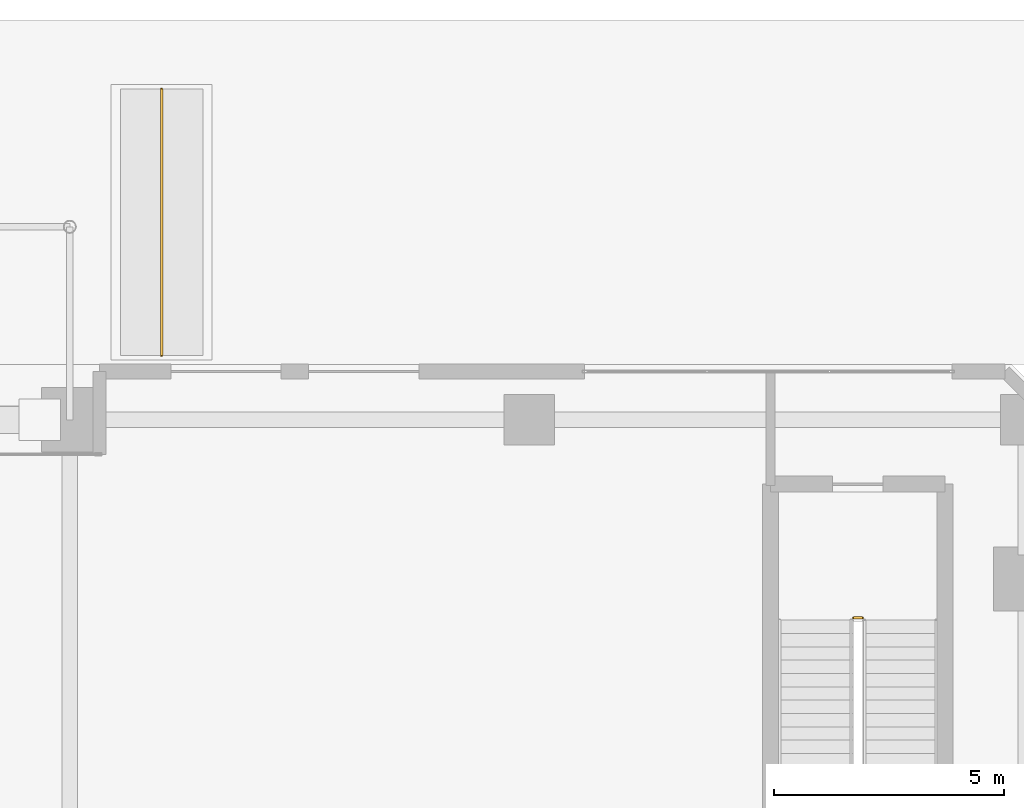
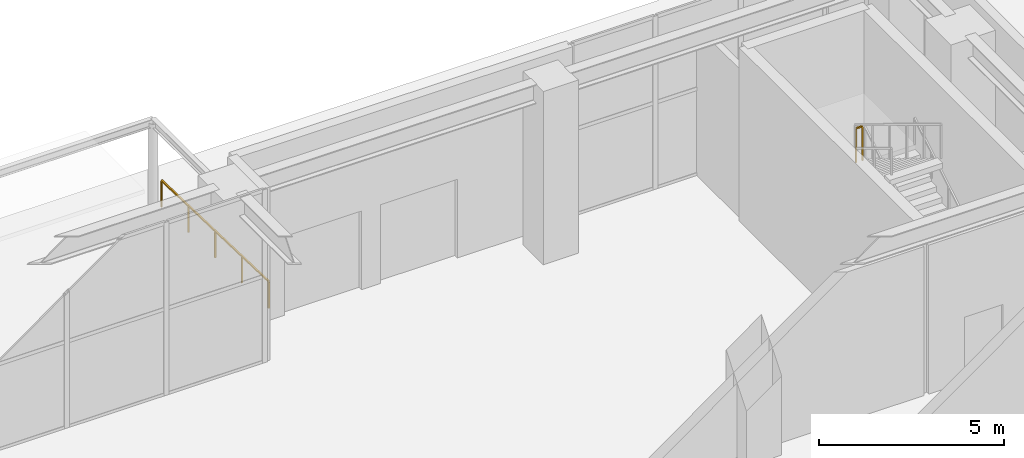
# One storey, part 48 of 49: 2 railings.
"""IFC4 building model written with IfcOpenShell, lengths in metres."""

from ifc_helpers import new_model, si_unit, direction, frame, origin, origin_2d, place, context, subcontext, project, spatial, rectangle, extrude, material, type_object, element, save


model = new_model("IFC4")

# Units and contexts
model_context = context("Model", 3, precision=1e-05, world=origin(), true_north=direction((0.0, 1.0)))
body_context = subcontext(model_context, "Body", "Model", "MODEL_VIEW")
ifc_project = project(units=[si_unit("LENGTHUNIT", "METRE"), si_unit("AREAUNIT", "SQUARE_METRE"), si_unit("VOLUMEUNIT", "CUBIC_METRE"), si_unit("PLANEANGLEUNIT", "RADIAN"), si_unit("MASSUNIT", "GRAM", prefix="KILO")], contexts=[model_context])

# Site, building, storey
site_placement = place(None, origin())
site = spatial("IfcSite", under=ifc_project, at=site_placement, CompositionType="ELEMENT")
building_placement = place(site_placement, origin())
building = spatial("IfcBuilding", under=site, at=building_placement, Name="Sarneth Arch Tower", CompositionType="ELEMENT")
storey_placement = place(building_placement, origin())
storey = spatial("IfcBuildingStorey", under=building, at=storey_placement, Name="L00", CompositionType="ELEMENT", Elevation=0.0)

# Railings
ifc_material_1 = material(Name="Brushed Stainless Steel 304 tubular handrail", Category="steel")
railing_type_1 = type_object("IfcRailingType", Name="RAIL-HANDRAIL-900", PredefinedType="HANDRAIL", material=ifc_material_1)
railing_1_placement = place(storey_placement, frame((68.0, 82.0, -0.179931640625)))
element("IfcRailing", 1, at=railing_1_placement, inside=storey, type_object=railing_type_1, Name="Ramp handrail RMP-PLAZA-N2", PredefinedType="HANDRAIL", context=body_context, shape_type="SweptSolid", body=[
    extrude(rectangle(XDim=0.048095703125, YDim=0.048095703125, at=origin_2d()), frame((0.0, 0.0, 0.8759765625), z_axis=(0.0, -0.999519151294, 0.031007518395), x_axis=(1.0, 0.0, 0.0)), (0.0, 0.0, 1.0), 5.802734375),
    extrude(rectangle(XDim=0.0419921875, YDim=0.0419921875, at=origin_2d()), origin(), (0.0, 0.0, 1.0), 0.851806640625),
    extrude(rectangle(XDim=0.0419921875, YDim=0.0419921875, at=origin_2d()), frame((0.0, -1.449951171875, 0.044921875)), (0.0, 0.0, 1.0), 0.851806640625),
    extrude(rectangle(XDim=0.0419921875, YDim=0.0419921875, at=origin_2d()), frame((0.0, -2.89990234375, 0.08984375)), (0.0, 0.0, 1.0), 0.851806640625),
    extrude(rectangle(XDim=0.0419921875, YDim=0.0419921875, at=origin_2d()), frame((0.0, -4.35009765625, 0.135009765625)), (0.0, 0.0, 1.0), 0.851806640625),
    extrude(rectangle(XDim=0.0419921875, YDim=0.0419921875, at=origin_2d()), frame((0.0, -5.800048828125, 0.179931640625)), (0.0, 0.0, 1.0), 0.851806640625),
])
ifc_material_2 = material(Name="Painted Steel S275 stair well guard", Category="steel")
railing_type_2 = type_object("IfcRailingType", Name="RAIL-STAIR-GUARD", PredefinedType="GUARDRAIL", material=ifc_material_2)
railing_2_placement = place(storey_placement, frame((83.25, 70.489990234375, 3.0)))
element("IfcRailing", 2, at=railing_2_placement, inside=storey, type_object=railing_type_2, Name="L00 ST-P2 stair guard 2", PredefinedType="GUARDRAIL", context=body_context, shape_type="SweptSolid", body=[
    extrude(rectangle(XDim=0.048095703125, YDim=0.048095703125, at=origin_2d()), frame((0.0, 0.0, 1.1259765625), z_axis=(-1.0, 0.0, 0.0), x_axis=(0.0, -1.0, 0.0)), (0.0, 0.0, 1.0), 0.199951171875),
    extrude(rectangle(XDim=0.0419921875, YDim=0.0419921875, at=origin_2d()), origin(), (0.0, 0.0, 1.0), 1.101806640625),
    extrude(rectangle(XDim=0.0419921875, YDim=0.0419921875, at=origin_2d()), frame((-0.199951171875, 0.0, 0.0)), (0.0, 0.0, 1.0), 1.101806640625),
])

save(model, "model.ifc")
